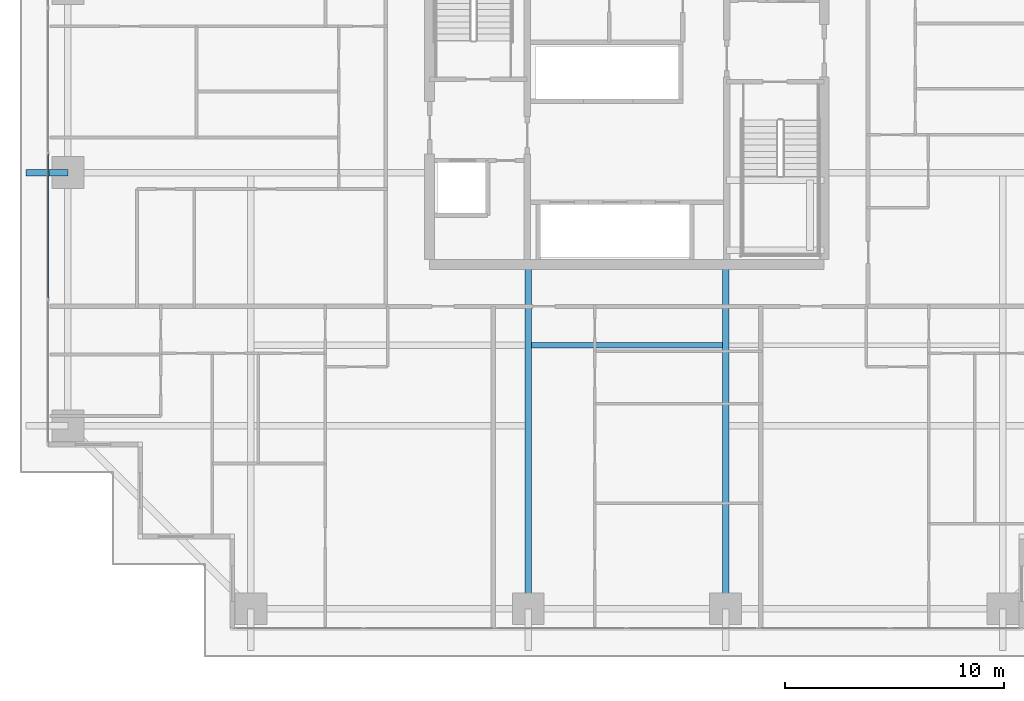
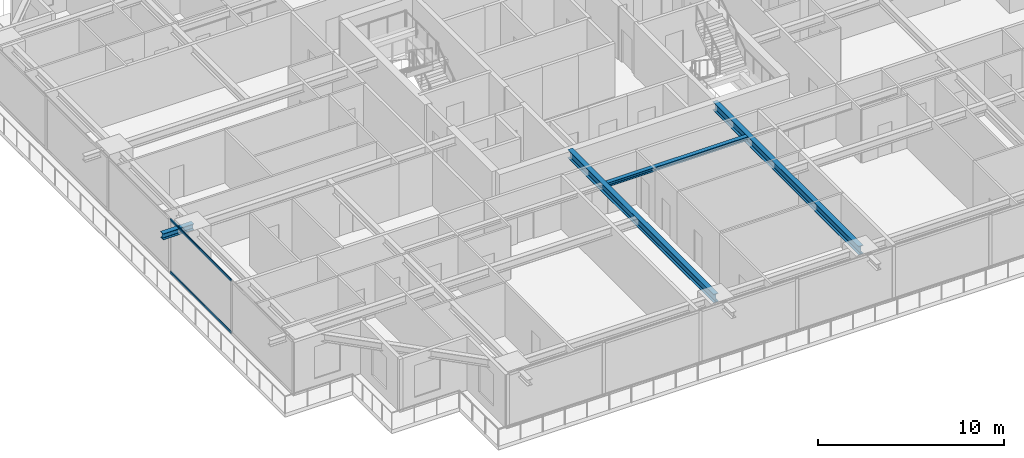
# One storey, part 6 of 37: 4 beams, 2 members, 1 element without a shape of its own.
"""IFC4 building model written with IfcOpenShell, lengths in metres."""

from ifc_helpers import new_model, si_unit, direction, frame, origin, origin_2d, place, context, subcontext, project, spatial, hollow_rectangle, i_section, extrude, source, transform, mapped, material, layer, layer_set, material_profile, profile_set, type_object, element, aggregate, save


model = new_model("IFC4")

# Units and contexts
model_context = context("Model", 3, precision=1e-05, world=origin(), true_north=direction((0.0, 1.0)))
body_context = subcontext(model_context, "Body", "Model", "MODEL_VIEW")
ifc_project = project(units=[si_unit("LENGTHUNIT", "METRE"), si_unit("AREAUNIT", "SQUARE_METRE"), si_unit("VOLUMEUNIT", "CUBIC_METRE"), si_unit("PLANEANGLEUNIT", "RADIAN"), si_unit("MASSUNIT", "GRAM", prefix="KILO")], contexts=[model_context])

# Site, building, storey
site_placement = place(None, origin())
site = spatial("IfcSite", under=ifc_project, at=site_placement, CompositionType="ELEMENT")
building_placement = place(site_placement, origin())
building = spatial("IfcBuilding", under=site, at=building_placement, Name="Serunith Strait Residences", CompositionType="ELEMENT")
storey_placement = place(building_placement, frame((0.0, 0.0, 34.199951171875)))
storey = spatial("IfcBuildingStorey", under=building, at=storey_placement, Name="L07", CompositionType="ELEMENT", Elevation=34.199951171875)

# Beams
ifc_material_1 = material(Name="Steel S355J2", Category="steel")
ifc_material_profile_1 = material_profile(ifc_material_1, i_section(OverallWidth=0.300048828125, OverallDepth=0.550048828125, WebThickness=0.014892578125, FlangeThickness=0.029052734375, FilletRadius=0.027099609375, at=origin_2d()), Name="HEB 550")
ifc_profile_set_1 = profile_set([ifc_material_profile_1], Name="Steel S355J2")
beam_type_1 = type_object("IfcBeamType", Name="BM-HEB550", PredefinedType="BEAM", material=ifc_profile_set_1)
shared_shape_1 = source(origin(), body_context, "Body", "SweptSolid", [
    extrude(i_section(OverallWidth=0.300048828125, OverallDepth=0.550048828125, WebThickness=0.014892578125, FlangeThickness=0.029052734375, FilletRadius=0.027099609375, at=origin_2d()), origin(), (0.0, 0.0, 1.0), 15.699951171875),
])
for number, where, z_axis, x_axis, name in (
    (1, (27.89990234375, 16.800048828125, 3.212158203125), (0.0, -1.0, 0.0), (1.0, 0.0, 0.0), "L07 Primary Floor Girder TC-S2"),
    (2, (36.89990234375, 16.800048828125, 3.212158203125), (0.0, -1.0, 0.0), (1.0, 0.0, 0.0), "L07 Primary Floor Girder TC-S3"),
):
    element("IfcBeam", number, at=place(storey_placement, frame(where, z_axis=z_axis, x_axis=x_axis)), inside=storey, type_object=beam_type_1, Name=name, PredefinedType="BEAM", context=body_context, shape_type="MappedRepresentation", body=[
        mapped(shared_shape_1, transform((0.0, 0.0, 0.0), scale=1.0)),
    ])
ifc_material_profile_2 = material_profile(ifc_material_1, i_section(OverallWidth=0.260009765625, OverallDepth=0.260009765625, WebThickness=0.010009765625, FlangeThickness=0.017578125, FilletRadius=0.02392578125, at=origin_2d()), Name="HEB 260")
ifc_profile_set_2 = profile_set([ifc_material_profile_2], Name="Steel S355J2")
beam_type_2 = type_object("IfcBeamType", Name="BM-HEB260", PredefinedType="JOIST", material=ifc_profile_set_2)
shared_shape_2 = source(origin(), body_context, "Body", "SweptSolid", [
    extrude(i_section(OverallWidth=0.260009765625, OverallDepth=0.260009765625, WebThickness=0.010009765625, FlangeThickness=0.017578125, FilletRadius=0.02392578125, at=origin_2d()), origin(), (0.0, 0.0, 1.0), 8.699951171875),
])
beam_1_placement = place(storey_placement, frame((28.050048828125, 13.125, 3.35693359375), z_axis=(1.0, 0.0, 0.0), x_axis=(0.0, 1.0, 0.0)))
element("IfcBeam", 3, at=beam_1_placement, inside=storey, type_object=beam_type_2, Name="L07 Composite Floor Joist 02", PredefinedType="JOIST", context=body_context, shape_type="MappedRepresentation", body=[
    mapped(shared_shape_2, transform((0.0, 0.0, 0.0), scale=1.0)),
])
ifc_material_profile_3 = material_profile(ifc_material_1, i_section(OverallWidth=0.300048828125, OverallDepth=0.39990234375, WebThickness=0.013427734375, FlangeThickness=0.02392578125, FilletRadius=0.027099609375, at=origin_2d()), Name="HEB 400")
ifc_profile_set_3 = profile_set([ifc_material_profile_3], Name="Steel S355J2")
beam_type_3 = type_object("IfcBeamType", Name="BM-HEB400", PredefinedType="BEAM", material=ifc_profile_set_3)
shared_shape_3 = source(origin(), body_context, "Body", "SweptSolid", [
    extrude(i_section(OverallWidth=0.300048828125, OverallDepth=0.39990234375, WebThickness=0.013427734375, FlangeThickness=0.02392578125, FilletRadius=0.027099609375, at=origin_2d()), origin(), (0.0, 0.0, 1.0), 1.909912109375),
])
beam_2_placement = place(storey_placement, frame((6.89990234375, 21.0, 3.257080078125), z_axis=(-1.0, 0.0, 0.0), x_axis=(0.0, -1.0, 0.0)))
element("IfcBeam", 4, at=beam_2_placement, inside=storey, type_object=beam_type_3, Name="L08 Cantilevered Balcony Rib TC-W2", PredefinedType="BEAM", context=body_context, shape_type="MappedRepresentation", body=[
    mapped(shared_shape_3, transform((0.0, 0.0, 0.0), scale=1.0)),
])

# Curtain wall, members
ifc_material_2 = material(Name="Pale-Champagne Anodised Aluminium", Category="aluminium")
ifc_layer = layer(ifc_material_2, 0.199951171875, Name="Pale-Champagne Anodised Aluminium")
ifc_layer_set = layer_set([ifc_layer], Name="Pale-Champagne Anodised Aluminium")
curtain_wall_type = type_object("IfcCurtainWallType", Name="CW-SYS1", PredefinedType="NOTDEFINED", material=ifc_layer_set)
curtain_wall_placement = place(storey_placement, origin())
curtain_wall = element("IfcCurtainWall", 5, at=curtain_wall_placement, inside=storey, type_object=curtain_wall_type, Name="L07 W Unitised Fritted Curtain Wall", PredefinedType="NOTDEFINED")
ifc_material_profile_4 = material_profile(ifc_material_2, hollow_rectangle(XDim=0.06005859375, YDim=0.159912109375, WallThickness=0.00341796875, InnerFilletRadius=0.00537109375, OuterFilletRadius=0.0087890625, at=origin_2d()), Name="ALU 160x60x3.5")
ifc_profile_set_4 = profile_set([ifc_material_profile_4], Name="Pale-Champagne Anodised Aluminium")
member_type = type_object("IfcMemberType", Name="CW-SYS1-TRAN", PredefinedType="USERDEFINED", material=ifc_profile_set_4)
shared_shape_4 = source(origin(), body_context, "Body", "SweptSolid", [
    extrude(hollow_rectangle(XDim=0.06005859375, YDim=0.159912109375, WallThickness=0.00341796875, InnerFilletRadius=0.00537109375, OuterFilletRadius=0.0087890625, at=origin_2d()), origin(), (0.0, 0.0, 1.0), 6.570068359375),
])
member_1_placement = place(storey_placement, frame((6.0, 21.844970703125, 0.030029296875), z_axis=(0.0, -1.0, 0.0), x_axis=(1.0, 0.0, 0.0)))
member_1 = element("IfcMember", 6, at=member_1_placement, type_object=member_type, Name="CW-1 transom 4.1", ObjectType="TRANSOM", PredefinedType="USERDEFINED", context=body_context, shape_type="MappedRepresentation", body=[
    mapped(shared_shape_4, transform((0.0, 0.0, 0.0), scale=1.0)),
])
member_2_placement = place(storey_placement, frame((6.0, 21.844970703125, 3.445068359375), z_axis=(0.0, -1.0, 0.0), x_axis=(1.0, 0.0, 0.0)))
member_2 = element("IfcMember", 7, at=member_2_placement, type_object=member_type, Name="CW-1 transom 4.2", ObjectType="TRANSOM", PredefinedType="USERDEFINED", context=body_context, shape_type="MappedRepresentation", body=[
    mapped(shared_shape_4, transform((0.0, 0.0, 0.0), scale=1.0)),
])
aggregate(curtain_wall, [member_1, member_2])

save(model, "model.ifc")
